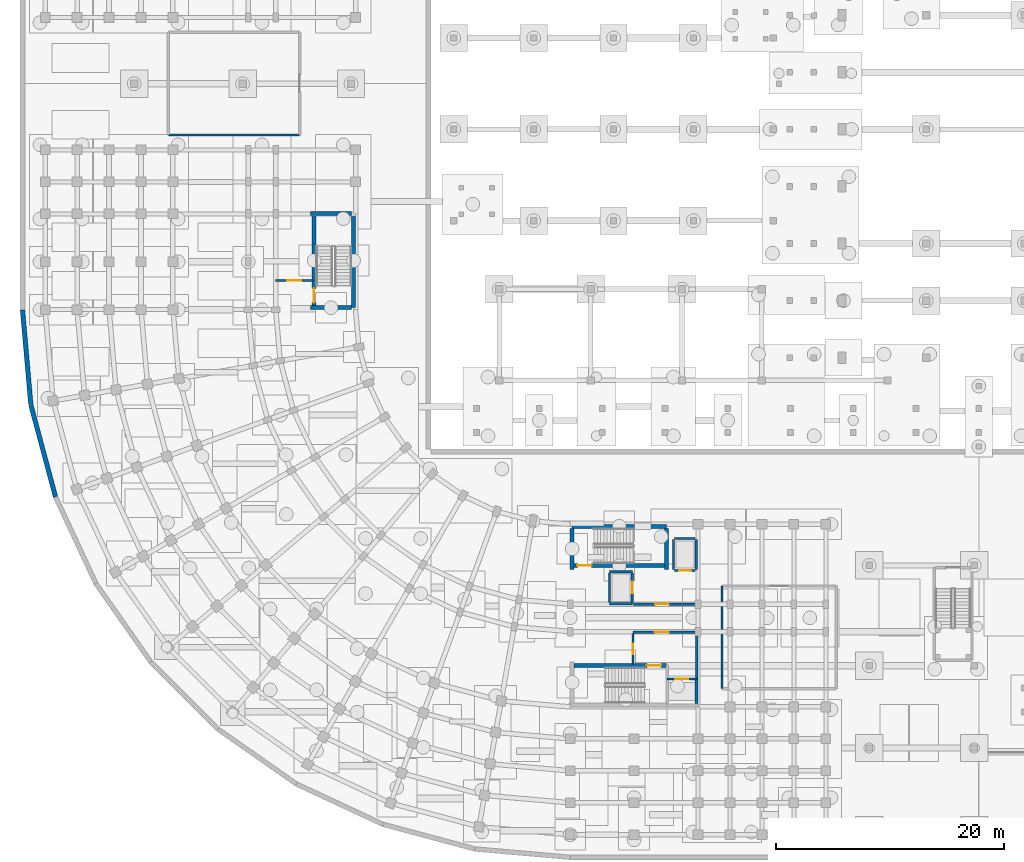
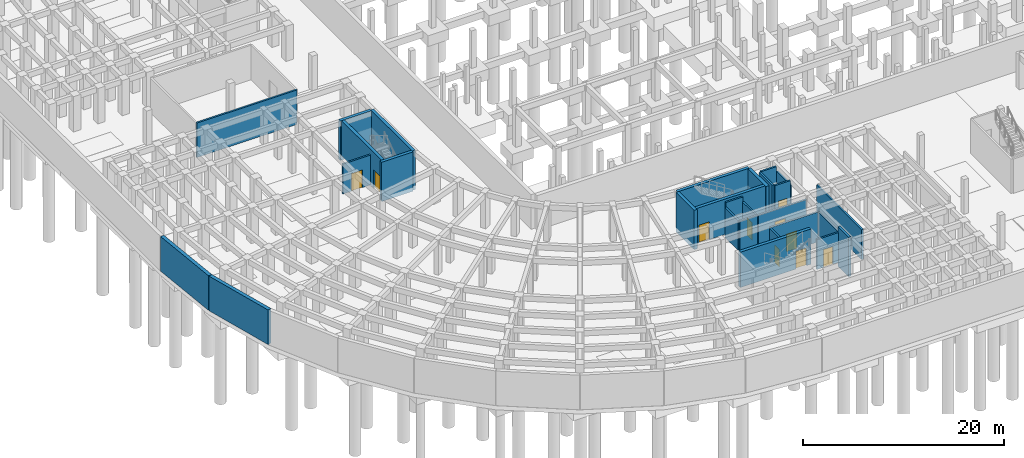
# One storey, part 30 of 53: 28 walls, 10 doors, 10 openings.
"""IFC4 building model written with IfcOpenShell, lengths in metres."""

from ifc_helpers import new_model, si_unit, direction, frame, frame_2d, origin, place, context, subcontext, project, spatial, rectangle, extrude, material, layer, layer_set, type_object, element, fill, save


model = new_model("IFC4")

# Units and contexts
model_context = context("Model", 3, precision=1e-05, world=origin(), true_north=direction((0.0, 1.0)))
body_context = subcontext(model_context, "Body", "Model", "MODEL_VIEW")
ifc_project = project(units=[si_unit("LENGTHUNIT", "METRE"), si_unit("AREAUNIT", "SQUARE_METRE"), si_unit("VOLUMEUNIT", "CUBIC_METRE"), si_unit("PLANEANGLEUNIT", "RADIAN"), si_unit("MASSUNIT", "GRAM", prefix="KILO")], contexts=[model_context])

# Site, building, storey
site_placement = place(None, origin())
site = spatial("IfcSite", under=ifc_project, at=site_placement, CompositionType="ELEMENT")
building_placement = place(site_placement, origin())
building = spatial("IfcBuilding", under=site, at=building_placement, Name="Kiranvali Square Residences", CompositionType="ELEMENT")
storey_placement = place(building_placement, frame((0.0, 0.0, -4.5)))
storey = spatial("IfcBuildingStorey", under=building, at=storey_placement, Name="B1", CompositionType="ELEMENT", Elevation=-4.5)

# Wall, opening, door
ifc_material_1 = material(Name="Autoclaved aerated concrete blockwork masonry", Category="masonry")
ifc_layer_1 = layer(ifc_material_1, 0.199951171875)
ifc_layer_set_1 = layer_set([ifc_layer_1], Name="Autoclaved aerated concrete blockwork masonry")
wall_type_1 = type_object("IfcWallType", Name="WL-COR-200", PredefinedType="STANDARD", material=ifc_layer_set_1)
wall_1_placement = place(storey_placement, frame((53.75, 22.39990234375, 0.0), z_axis=(0.0, 0.0, 1.0), x_axis=(1.0, 0.0, 0.0)))
wall_1 = element("IfcWall", 1, at=wall_1_placement, inside=storey, type_object=wall_type_1, Name="B1 architectural wall WL-B1-C-LL-COR", PredefinedType="STANDARD", context=body_context, shape_type="SweptSolid", body=[
    extrude(rectangle(XDim=5.550048828125, YDim=0.199951171875, at=frame_2d((2.77490234375, 0.0))), origin(), (0.0, 0.0, 1.0), 3.6220703125),
])
opening_1_placement = place(wall_1_placement, frame((1.887451171875, 0.0, 0.0)))
opening_1 = element("IfcOpeningElement", 2, at=opening_1_placement, cuts=wall_1, Name="Opening FD-COR-60", PredefinedType="OPENING", context=body_context, shape_type="SweptSolid", body=[
    extrude(rectangle(XDim=1.219970703125, YDim=2.14990234375, at=frame_2d((0.60986328125, 1.074951171875))), frame((0.0, 0.10986328125, 0.0), z_axis=(0.0, -1.0, 0.0), x_axis=(1.0, 0.0, 0.0)), (0.0, 0.0, 1.0), 0.219970703125),
])
ifc_material_2 = material(Name="Fire-rated acoustic hardwood and mineral-core door assembly", Category="wood")
door_type_1 = type_object("IfcDoorType", Name="DR-FD60-1200", OperationType="NOTDEFINED", PredefinedType="DOOR", material=ifc_material_2)
door_1_placement = place(opening_1_placement, origin())
door_1 = element("IfcDoor", 3, at=door_1_placement, inside=storey, type_object=door_type_1, Name="B1 door DR-B1-0029 (DR-FD60-1200)", OperationType="SINGLE_SWING_LEFT", OverallHeight=2.14990234375, OverallWidth=1.219970703125, PredefinedType="DOOR", context=body_context, shape_type="SweptSolid", body=[
    extrude(rectangle(XDim=1.219970703125, YDim=2.14990234375, at=frame_2d((0.60986328125, 1.074951171875))), frame((0.0, 0.02490234375, 0.0), z_axis=(0.0, -1.0, 0.0), x_axis=(1.0, 0.0, 0.0)), (0.0, 0.0, 1.0), 0.050048828125),
])
fill(opening_1, door_1)

wall_2_placement = place(storey_placement, frame((25.64990234375, 50.75, 0.0), z_axis=(0.0, 0.0, 1.0), x_axis=(-1.0, 0.0, 0.0)))
wall_2 = element("IfcWall", 4, at=wall_2_placement, inside=storey, type_object=wall_type_1, Name="B1 architectural wall WL-B1-C-S3-V", PredefinedType="STANDARD", context=body_context, shape_type="SweptSolid", body=[
    extrude(rectangle(XDim=3.25, YDim=0.199951171875, at=frame_2d((1.625, 0.0))), origin(), (0.0, 0.0, 1.0), 3.6220703125),
])
opening_2_placement = place(wall_2_placement, frame((1.014892578125, 0.0, 0.0)))
opening_2 = element("IfcOpeningElement", 5, at=opening_2_placement, cuts=wall_2, Name="Opening FD-COR-60", PredefinedType="OPENING", context=body_context, shape_type="SweptSolid", body=[
    extrude(rectangle(XDim=1.219970703125, YDim=2.14990234375, at=frame_2d((0.60986328125, 1.074951171875))), frame((0.0, 0.10986328125, 0.0), z_axis=(0.0, -1.0, 0.0), x_axis=(1.0, 0.0, 0.0)), (0.0, 0.0, 1.0), 0.219970703125),
])
door_2_placement = place(opening_2_placement, frame((1.219970703125, 0.0, 0.0), z_axis=(0.0, 0.0, 1.0), x_axis=(-1.0, 0.0, 0.0)))
door_2 = element("IfcDoor", 6, at=door_2_placement, inside=storey, type_object=door_type_1, Name="B1 door DR-B1-0030 (DR-FD60-1200)", OperationType="SINGLE_SWING_RIGHT", OverallHeight=2.14990234375, OverallWidth=1.219970703125, PredefinedType="DOOR", context=body_context, shape_type="SweptSolid", body=[
    extrude(rectangle(XDim=1.219970703125, YDim=2.14990234375, at=frame_2d((0.60986328125, 1.074951171875))), frame((0.0, 0.02490234375, 0.0), z_axis=(0.0, -1.0, 0.0), x_axis=(1.0, 0.0, 0.0)), (0.0, 0.0, 1.0), 0.050048828125),
])
fill(opening_2, door_2)

ifc_layer_2 = layer(ifc_material_1, 0.199951171875)
ifc_layer_set_2 = layer_set([ifc_layer_2], Name="Autoclaved aerated concrete blockwork masonry")
wall_type_2 = type_object("IfcWallType", Name="WL-FFL-200", PredefinedType="STANDARD", material=ifc_layer_set_2)
wall_3_placement = place(storey_placement, frame((53.699951171875, 19.949951171875, 0.0), z_axis=(0.0, 0.0, 1.0), x_axis=(1.0, 0.0, 0.0)))
wall_3 = element("IfcWall", 7, at=wall_3_placement, inside=storey, type_object=wall_type_2, Name="B1 architectural wall WL-B1-C-FF-COR", PredefinedType="STANDARD", context=body_context, shape_type="SweptSolid", body=[
    extrude(rectangle(XDim=5.60009765625, YDim=0.199951171875, at=frame_2d((2.800048828125, 0.0))), origin(), (0.0, 0.0, 1.0), 3.6220703125),
])
opening_3_placement = place(wall_3_placement, frame((1.89990234375, 0.0, 0.0)))
opening_3 = element("IfcOpeningElement", 8, at=opening_3_placement, cuts=wall_3, Name="Opening FD-ST-120", PredefinedType="OPENING", context=body_context, shape_type="SweptSolid", body=[
    extrude(rectangle(XDim=1.239990234375, YDim=2.14990234375, at=frame_2d((0.6201171875, 1.074951171875))), frame((0.0, 0.10986328125, 0.0), z_axis=(0.0, -1.0, 0.0), x_axis=(1.0, 0.0, 0.0)), (0.0, 0.0, 1.0), 0.219970703125),
])
door_type_2 = type_object("IfcDoorType", Name="DR-FD120-1200", OperationType="NOTDEFINED", PredefinedType="DOOR", material=ifc_material_2)
door_3_placement = place(opening_3_placement, origin())
door_3 = element("IfcDoor", 9, at=door_3_placement, inside=storey, type_object=door_type_2, Name="B1 door DR-B1-0021 (DR-FD120-1200)", OperationType="SINGLE_SWING_LEFT", OverallHeight=2.14990234375, OverallWidth=1.239990234375, PredefinedType="DOOR", context=body_context, shape_type="SweptSolid", body=[
    extrude(rectangle(XDim=1.239990234375, YDim=2.14990234375, at=frame_2d((0.6201171875, 1.074951171875))), frame((0.0, 0.02490234375, 0.0), z_axis=(0.0, -1.0, 0.0), x_axis=(1.0, 0.0, 0.0)), (0.0, 0.0, 1.0), 0.050048828125),
])
fill(opening_3, door_3)

wall_4_placement = place(storey_placement, frame((53.699951171875, 19.85009765625, 0.0), z_axis=(0.0, 0.0, 1.0), x_axis=(0.0, -1.0, 0.0)))
wall_4 = element("IfcWall", 10, at=wall_4_placement, inside=storey, type_object=wall_type_2, Name="B1 architectural wall WL-B1-C-FF-DIV", PredefinedType="STANDARD", context=body_context, shape_type="SweptSolid", body=[
    extrude(rectangle(XDim=2.75, YDim=0.199951171875, at=frame_2d((1.375, 0.0))), origin(), (0.0, 0.0, 1.0), 3.6220703125),
])
opening_4_placement = place(wall_4_placement, frame((0.9150390625, 0.0, 0.0)))
opening_4 = element("IfcOpeningElement", 11, at=opening_4_placement, cuts=wall_4, Name="Opening FD-SVC-120", PredefinedType="OPENING", context=body_context, shape_type="SweptSolid", body=[
    extrude(rectangle(XDim=0.919921875, YDim=2.10009765625, at=frame_2d((0.4599609375, 1.050048828125))), frame((0.0, 0.10986328125, 0.0), z_axis=(0.0, -1.0, 0.0), x_axis=(1.0, 0.0, 0.0)), (0.0, 0.0, 1.0), 0.219970703125),
])
door_type_3 = type_object("IfcDoorType", Name="DR-SVC-900", OperationType="NOTDEFINED", PredefinedType="DOOR", material=ifc_material_2)
door_4_placement = place(opening_4_placement, frame((0.919921875, 0.0, 0.0), z_axis=(0.0, 0.0, 1.0), x_axis=(-1.0, 0.0, 0.0)))
door_4 = element("IfcDoor", 12, at=door_4_placement, inside=storey, type_object=door_type_3, Name="B1 door DR-B1-0022 (DR-SVC-900)", OperationType="SINGLE_SWING_RIGHT", OverallHeight=2.10009765625, OverallWidth=0.919921875, PredefinedType="DOOR", context=body_context, shape_type="SweptSolid", body=[
    extrude(rectangle(XDim=0.919921875, YDim=2.10009765625, at=frame_2d((0.4599609375, 1.050048828125))), frame((0.0, 0.02490234375, 0.0), z_axis=(0.0, -1.0, 0.0), x_axis=(1.0, 0.0, 0.0)), (0.0, 0.0, 1.0), 0.050048828125),
])
fill(opening_4, door_4)

# Wall
wall_5_placement = place(storey_placement, frame((59.300048828125, 19.85009765625, 0.0), z_axis=(0.0, 0.0, 1.0), x_axis=(0.0, -1.0, 0.0)))
element("IfcWall", 13, at=wall_5_placement, inside=storey, type_object=wall_type_2, Name="B1 architectural wall WL-B1-C-FF-END", PredefinedType="STANDARD", context=body_context, shape_type="SweptSolid", body=[
    extrude(rectangle(XDim=4.0, YDim=0.199951171875, at=frame_2d((2.0, 0.0))), origin(), (0.0, 0.0, 1.0), 3.6220703125),
])

# Wall, opening, door
wall_6_placement = place(storey_placement, frame((56.699951171875, 15.85009765625, 0.0), z_axis=(0.0, 0.0, 1.0), x_axis=(1.0, 0.0, 0.0)))
wall_6 = element("IfcWall", 14, at=wall_6_placement, inside=storey, type_object=wall_type_2, Name="B1 architectural wall WL-B1-C-FF-LFT", PredefinedType="STANDARD", context=body_context, shape_type="SweptSolid", body=[
    extrude(rectangle(XDim=2.550048828125, YDim=0.199951171875, at=frame_2d((1.27490234375, 0.0))), origin(), (0.0, 0.0, 1.0), 3.6220703125),
])
opening_5_placement = place(wall_6_placement, frame((0.72509765625, 0.0, 0.0)))
opening_5 = element("IfcOpeningElement", 15, at=opening_5_placement, cuts=wall_6, Name="Opening LD-FF-110", PredefinedType="OPENING", context=body_context, shape_type="SweptSolid", body=[
    extrude(rectangle(XDim=1.10009765625, YDim=2.14990234375, at=frame_2d((0.550048828125, 1.074951171875))), frame((0.0, 0.10986328125, 0.0), z_axis=(0.0, -1.0, 0.0), x_axis=(1.0, 0.0, 0.0)), (0.0, 0.0, 1.0), 0.219970703125),
])
door_type_4 = type_object("IfcDoorType", Name="DR-LIFT-FF-1100", OperationType="SLIDING_TO_LEFT", PredefinedType="DOOR", material=ifc_material_2)
door_5_placement = place(opening_5_placement, origin())
door_5 = element("IfcDoor", 16, at=door_5_placement, inside=storey, type_object=door_type_4, Name="B1 door DR-B1-0023 (DR-LIFT-FF-1100)", OperationType="SLIDING_TO_LEFT", OverallHeight=2.14990234375, OverallWidth=1.10009765625, PredefinedType="DOOR", context=body_context, shape_type="SweptSolid", body=[
    extrude(rectangle(XDim=1.10009765625, YDim=2.14990234375, at=frame_2d((0.550048828125, 1.074951171875))), frame((0.0, 0.02490234375, 0.0), z_axis=(0.0, -1.0, 0.0), x_axis=(1.0, 0.0, 0.0)), (0.0, 0.0, 1.0), 0.050048828125),
])
fill(opening_5, door_5)

# Walls
ifc_material_3 = material(Name="Concrete M40 (40 MPa)", Category="concrete")
ifc_layer_3 = layer(ifc_material_3, 0.39990234375)
ifc_layer_set_3 = layer_set([ifc_layer_3], Name="Concrete M40 (40 MPa)")
wall_type_3 = type_object("IfcWallType", Name="WL-RET-400", PredefinedType="USERDEFINED", material=ifc_layer_set_3)
wall_7_placement = place(storey_placement, frame((0.222412109375, 48.172119140625, 0.0), z_axis=(0.0, 0.0, 1.0), x_axis=(0.087164762929, -0.996193908887, 0.0)))
element("IfcWall", 17, at=wall_7_placement, inside=storey, type_object=wall_type_3, Name="Shaped street-perimeter basement retaining wall 1", ObjectType="RETAINING WALL", PredefinedType="USERDEFINED", context=body_context, shape_type="SweptSolid", body=[
    extrude(rectangle(XDim=8.3076171875, YDim=0.39990234375, at=frame_2d((4.15380859375, 0.0))), origin(), (0.0, 0.0, 1.0), 4.199951171875),
])
wall_8_placement = place(storey_placement, frame((0.9560546875, 39.84130859375, 0.0), z_axis=(0.0, 0.0, 1.0), x_axis=(0.258820304836, -0.965925488744, 0.0)))
element("IfcWall", 18, at=wall_8_placement, inside=storey, type_object=wall_type_3, Name="Shaped street-perimeter basement retaining wall 2", ObjectType="RETAINING WALL", PredefinedType="USERDEFINED", context=body_context, shape_type="SweptSolid", body=[
    extrude(rectangle(XDim=8.307373046875, YDim=0.39990234375, at=frame_2d((4.15380859375, 0.0))), origin(), (0.0, 0.0, 1.0), 4.199951171875),
])
ifc_layer_4 = layer(ifc_material_1, 0.199951171875)
ifc_layer_set_4 = layer_set([ifc_layer_4], Name="Autoclaved aerated concrete blockwork masonry")
wall_type_4 = type_object("IfcWallType", Name="WL-SHF-200", PredefinedType="STANDARD", material=ifc_layer_set_4)
wall_9_placement = place(storey_placement, frame((57.25, 28.050048828125, 0.0), z_axis=(0.0, 0.0, 1.0), x_axis=(0.0, -1.0, 0.0)))
element("IfcWall", 19, at=wall_9_placement, inside=storey, type_object=wall_type_4, Name="B1 architectural wall WL-B1-C-LP1-S1", PredefinedType="STANDARD", context=body_context, shape_type="SweptSolid", body=[
    extrude(rectangle(XDim=2.60009765625, YDim=0.199951171875, at=frame_2d((1.300048828125, 0.0))), origin(), (0.0, 0.0, 1.0), 4.179931640625),
])
wall_10_placement = place(storey_placement, frame((59.25, 28.050048828125, 0.0), z_axis=(0.0, 0.0, 1.0), x_axis=(0.0, -1.0, 0.0)))
element("IfcWall", 20, at=wall_10_placement, inside=storey, type_object=wall_type_4, Name="B1 architectural wall WL-B1-C-LP1-B", PredefinedType="STANDARD", context=body_context, shape_type="SweptSolid", body=[
    extrude(rectangle(XDim=2.60009765625, YDim=0.199951171875, at=frame_2d((1.300048828125, 0.0))), origin(), (0.0, 0.0, 1.0), 3.6220703125),
])
wall_11_placement = place(storey_placement, frame((57.35009765625, 28.14990234375, 0.0), z_axis=(0.0, 0.0, 1.0), x_axis=(1.0, 0.0, 0.0)))
element("IfcWall", 21, at=wall_11_placement, inside=storey, type_object=wall_type_4, Name="B1 architectural wall WL-B1-C-LP1-S2", PredefinedType="STANDARD", context=body_context, shape_type="SweptSolid", body=[
    extrude(rectangle(XDim=1.7998046875, YDim=0.199951171875, at=frame_2d((0.89990234375, 0.0))), origin(), (0.0, 0.0, 1.0), 4.179931640625),
])

# Wall, opening, door
wall_12_placement = place(storey_placement, frame((57.35009765625, 25.35009765625, 0.0), z_axis=(0.0, 0.0, 1.0), x_axis=(1.0, 0.0, 0.0)))
wall_12 = element("IfcWall", 22, at=wall_12_placement, inside=storey, type_object=wall_type_4, Name="B1 architectural wall WL-B1-C-LP1-F", PredefinedType="STANDARD", context=body_context, shape_type="SweptSolid", body=[
    extrude(rectangle(XDim=1.7998046875, YDim=0.199951171875, at=frame_2d((0.89990234375, 0.0))), origin(), (0.0, 0.0, 1.0), 4.179931640625),
])
opening_6_placement = place(wall_12_placement, frame((0.389892578125, 0.0, 0.0)))
opening_6 = element("IfcOpeningElement", 23, at=opening_6_placement, cuts=wall_12, Name="Opening LD-PAX-100", PredefinedType="OPENING", context=body_context, shape_type="SweptSolid", body=[
    extrude(rectangle(XDim=1.02001953125, YDim=2.14990234375, at=frame_2d((0.510009765625, 1.074951171875))), frame((0.0, 0.10986328125, 0.0), z_axis=(0.0, -1.0, 0.0), x_axis=(1.0, 0.0, 0.0)), (0.0, 0.0, 1.0), 0.219970703125),
])
door_type_5 = type_object("IfcDoorType", Name="DR-LIFT-1000", OperationType="SLIDING_TO_RIGHT", PredefinedType="DOOR", material=ifc_material_2)
door_6_placement = place(opening_6_placement, origin())
door_6 = element("IfcDoor", 24, at=door_6_placement, inside=storey, type_object=door_type_5, Name="B1 door DR-B1-0027 (DR-LIFT-1000)", OperationType="SLIDING_TO_RIGHT", OverallHeight=2.14990234375, OverallWidth=1.02001953125, PredefinedType="DOOR", context=body_context, shape_type="SweptSolid", body=[
    extrude(rectangle(XDim=1.02001953125, YDim=2.14990234375, at=frame_2d((0.510009765625, 1.074951171875))), frame((0.0, 0.02490234375, 0.0), z_axis=(0.0, -1.0, 0.0), x_axis=(1.0, 0.0, 0.0)), (0.0, 0.0, 1.0), 0.050048828125),
])
fill(opening_6, door_6)

# Walls
wall_13_placement = place(storey_placement, frame((51.64990234375, 25.25, 0.0), z_axis=(0.0, 0.0, 1.0), x_axis=(1.0, 0.0, 0.0)))
element("IfcWall", 25, at=wall_13_placement, inside=storey, type_object=wall_type_4, Name="B1 architectural wall WL-B1-C-LP2-S0", PredefinedType="STANDARD", context=body_context, shape_type="SweptSolid", body=[
    extrude(rectangle(XDim=2.0, YDim=0.199951171875, at=frame_2d((1.0, 0.0))), origin(), (0.0, 0.0, 1.0), 4.179931640625),
])
wall_14_placement = place(storey_placement, frame((51.64990234375, 22.449951171875, 0.0), z_axis=(0.0, 0.0, 1.0), x_axis=(1.0, 0.0, 0.0)))
element("IfcWall", 26, at=wall_14_placement, inside=storey, type_object=wall_type_4, Name="B1 architectural wall WL-B1-C-LP2-B", PredefinedType="STANDARD", context=body_context, shape_type="SweptSolid", body=[
    extrude(rectangle(XDim=2.0, YDim=0.199951171875, at=frame_2d((1.0, 0.0))), origin(), (0.0, 0.0, 1.0), 3.6220703125),
])
wall_15_placement = place(storey_placement, frame((51.64990234375, 25.14990234375, 0.0), z_axis=(0.0, 0.0, 1.0), x_axis=(0.0, -1.0, 0.0)))
element("IfcWall", 27, at=wall_15_placement, inside=storey, type_object=wall_type_4, Name="B1 architectural wall WL-B1-C-LP2-S1", PredefinedType="STANDARD", context=body_context, shape_type="SweptSolid", body=[
    extrude(rectangle(XDim=2.599853515625, YDim=0.199951171875, at=frame_2d((1.2998046875, 0.0))), origin(), (0.0, 0.0, 1.0), 3.6220703125),
])

# Wall, opening, door
wall_16_placement = place(storey_placement, frame((53.64990234375, 25.14990234375, 0.0), z_axis=(0.0, 0.0, 1.0), x_axis=(0.0, -1.0, 0.0)))
wall_16 = element("IfcWall", 28, at=wall_16_placement, inside=storey, type_object=wall_type_4, Name="B1 architectural wall WL-B1-C-LP2-F", PredefinedType="STANDARD", context=body_context, shape_type="SweptSolid", body=[
    extrude(rectangle(XDim=2.599853515625, YDim=0.199951171875, at=frame_2d((1.2998046875, 0.0))), origin(), (0.0, 0.0, 1.0), 3.6220703125),
])
opening_7_placement = place(wall_16_placement, frame((0.7900390625, 0.0, 0.0)))
opening_7 = element("IfcOpeningElement", 29, at=opening_7_placement, cuts=wall_16, Name="Opening LD-PAX-100", PredefinedType="OPENING", context=body_context, shape_type="SweptSolid", body=[
    extrude(rectangle(XDim=1.02001953125, YDim=2.14990234375, at=frame_2d((0.510009765625, 1.074951171875))), frame((0.0, 0.10986328125, 0.0), z_axis=(0.0, -1.0, 0.0), x_axis=(1.0, 0.0, 0.0)), (0.0, 0.0, 1.0), 0.219970703125),
])
door_7_placement = place(opening_7_placement, origin())
door_7 = element("IfcDoor", 30, at=door_7_placement, inside=storey, type_object=door_type_5, Name="B1 door DR-B1-0028 (DR-LIFT-1000)", OperationType="SLIDING_TO_RIGHT", OverallHeight=2.14990234375, OverallWidth=1.02001953125, PredefinedType="DOOR", context=body_context, shape_type="SweptSolid", body=[
    extrude(rectangle(XDim=1.02001953125, YDim=2.14990234375, at=frame_2d((0.510009765625, 1.074951171875))), frame((0.0, 0.02490234375, 0.0), z_axis=(0.0, -1.0, 0.0), x_axis=(1.0, 0.0, 0.0)), (0.0, 0.0, 1.0), 0.050048828125),
])
fill(opening_7, door_7)

# Walls
wall_17_placement = place(storey_placement, frame((61.5, 24.0, 0.0), z_axis=(0.0, 0.0, 1.0), x_axis=(0.0, -1.0, 0.0)))
element("IfcWall", 31, at=wall_17_placement, inside=storey, type_object=wall_type_4, Name="B1 architectural wall WL-B1-WTP-W", PredefinedType="STANDARD", context=body_context, shape_type="SweptSolid", body=[
    extrude(rectangle(XDim=9.0, YDim=0.199951171875, at=frame_2d((4.5, 0.0))), origin(), (0.0, 0.0, 1.0), 3.6220703125),
])
wall_18_placement = place(storey_placement, frame((13.0, 63.5, 0.0), z_axis=(0.0, 0.0, 1.0), x_axis=(1.0, 0.0, 0.0)))
element("IfcWall", 32, at=wall_18_placement, inside=storey, type_object=wall_type_4, Name="B1 architectural wall WL-B1-CYC-N-S", PredefinedType="STANDARD", context=body_context, shape_type="SweptSolid", body=[
    extrude(rectangle(XDim=11.5, YDim=0.199951171875, at=frame_2d((5.75, 0.0))), origin(), (0.0, 0.0, 1.0), 4.179931640625),
])
ifc_material_4 = material(Name="Concrete M45 (45 MPa)", Category="concrete")
ifc_layer_5 = layer(ifc_material_4, 0.25)
ifc_layer_set_5 = layer_set([ifc_layer_5], Name="Concrete M45 (45 MPa)")
wall_type_5 = type_object("IfcWallType", Name="WL-SHR-250", PredefinedType="SHEAR", material=ifc_layer_set_5)
wall_19_placement = place(storey_placement, frame((59.27490234375, 15.85009765625, -0.5), z_axis=(0.0, 0.0, 1.0), x_axis=(0.0, -1.0, 0.0)))
element("IfcWall", 33, at=wall_19_placement, inside=storey, type_object=wall_type_5, Name="Block C core shear wall SW-CFF-SD-B1", PredefinedType="SHEAR", context=body_context, shape_type="SweptSolid", body=[
    extrude(rectangle(XDim=2.150146484375, YDim=0.25, at=frame_2d((1.0751953125, 0.0))), origin(), (0.0, 0.0, 1.0), 4.780029296875),
])

# Wall, opening, door
ifc_material_5 = material(Name="Concrete M50 (50 MPa)", Category="concrete")
ifc_layer_6 = layer(ifc_material_5, 0.35009765625)
ifc_layer_set_6 = layer_set([ifc_layer_6], Name="Concrete M50 (50 MPa)")
wall_type_6 = type_object("IfcWallType", Name="WL-SHR-350", PredefinedType="SHEAR", material=ifc_layer_set_6)
wall_20_placement = place(storey_placement, frame((48.550048828125, 17.02490234375, 0.0), z_axis=(0.0, 0.0, 1.0), x_axis=(1.0, 0.0, 0.0)))
wall_20 = element("IfcWall", 34, at=wall_20_placement, inside=storey, type_object=wall_type_6, Name="Block C core shear wall SW-C1-IN-B1", PredefinedType="SHEAR", context=body_context, shape_type="SweptSolid", body=[
    extrude(rectangle(XDim=8.074951171875, YDim=0.35009765625, at=frame_2d((4.03759765625, 0.0))), origin(), (0.0, 0.0, 1.0), 4.280029296875),
])
opening_8_placement = place(wall_20_placement, frame((6.3798828125, 0.0, 0.0)))
opening_8 = element("IfcOpeningElement", 35, at=opening_8_placement, cuts=wall_20, Name="Opening FD-ST-120", PredefinedType="OPENING", context=body_context, shape_type="SweptSolid", body=[
    extrude(rectangle(XDim=1.239990234375, YDim=2.14990234375, at=frame_2d((0.6201171875, 1.074951171875))), frame((0.0, 0.18505859375, 0.0), z_axis=(0.0, -1.0, 0.0), x_axis=(1.0, 0.0, 0.0)), (0.0, 0.0, 1.0), 0.3701171875),
])
door_8_placement = place(opening_8_placement, frame((1.239990234375, 0.0, 0.0), z_axis=(0.0, 0.0, 1.0), x_axis=(-1.0, 0.0, 0.0)))
door_8 = element("IfcDoor", 36, at=door_8_placement, inside=storey, type_object=door_type_2, Name="B1 door DR-B1-0024 (DR-FD120-1200)", OperationType="SINGLE_SWING_RIGHT", OverallHeight=2.14990234375, OverallWidth=1.239990234375, PredefinedType="DOOR", context=body_context, shape_type="SweptSolid", body=[
    extrude(rectangle(XDim=1.239990234375, YDim=2.14990234375, at=frame_2d((0.6201171875, 1.074951171875))), frame((0.0, 0.02490234375, 0.0), z_axis=(0.0, -1.0, 0.0), x_axis=(1.0, 0.0, 0.0)), (0.0, 0.0, 1.0), 0.050048828125),
])
fill(opening_8, door_8)

# Wall
wall_21_placement = place(storey_placement, frame((48.375, 29.22509765625, -0.5), z_axis=(0.0, 0.0, 1.0), x_axis=(1.0, 0.0, 0.0)))
element("IfcWall", 37, at=wall_21_placement, inside=storey, type_object=wall_type_6, Name="Block C core shear wall SW-C2-OUT-B1", PredefinedType="SHEAR", context=body_context, shape_type="SweptSolid", body=[
    extrude(rectangle(XDim=8.25, YDim=0.35009765625, at=frame_2d((4.125, 0.0))), origin(), (0.0, 0.0, 1.0), 4.780029296875),
])

# Wall, opening, door
wall_22_placement = place(storey_placement, frame((48.550048828125, 25.77490234375, 0.0), z_axis=(0.0, 0.0, 1.0), x_axis=(1.0, 0.0, 0.0)))
wall_22 = element("IfcWall", 38, at=wall_22_placement, inside=storey, type_object=wall_type_6, Name="Block C core shear wall SW-C2-IN-B1", PredefinedType="SHEAR", context=body_context, shape_type="SweptSolid", body=[
    extrude(rectangle(XDim=7.89990234375, YDim=0.35009765625, at=frame_2d((3.949951171875, 0.0))), origin(), (0.0, 0.0, 1.0), 4.280029296875),
])
opening_9_placement = place(wall_22_placement, frame((0.280029296875, 0.0, 0.0)))
opening_9 = element("IfcOpeningElement", 39, at=opening_9_placement, cuts=wall_22, Name="Opening FD-ST-120", PredefinedType="OPENING", context=body_context, shape_type="SweptSolid", body=[
    extrude(rectangle(XDim=1.239990234375, YDim=2.14990234375, at=frame_2d((0.6201171875, 1.074951171875))), frame((0.0, 0.18505859375, 0.0), z_axis=(0.0, -1.0, 0.0), x_axis=(1.0, 0.0, 0.0)), (0.0, 0.0, 1.0), 0.3701171875),
])
door_9_placement = place(opening_9_placement, origin())
door_9 = element("IfcDoor", 40, at=door_9_placement, inside=storey, type_object=door_type_2, Name="B1 door DR-B1-0025 (DR-FD120-1200)", OperationType="SINGLE_SWING_LEFT", OverallHeight=2.14990234375, OverallWidth=1.239990234375, PredefinedType="DOOR", context=body_context, shape_type="SweptSolid", body=[
    extrude(rectangle(XDim=1.239990234375, YDim=2.14990234375, at=frame_2d((0.6201171875, 1.074951171875))), frame((0.0, 0.02490234375, 0.0), z_axis=(0.0, -1.0, 0.0), x_axis=(1.0, 0.0, 0.0)), (0.0, 0.0, 1.0), 0.050048828125),
])
fill(opening_9, door_9)

# Walls
for number, where, z_axis, x_axis, name in (
    (41, (48.375, 29.050048828125, -0.5), (0.0, 0.0, 1.0), (0.0, -1.0, 0.0), "Block C core shear wall SW-C2-NEAR-B1"),
    (42, (56.625, 29.050048828125, -0.5), (0.0, 0.0, 1.0), (0.0, -1.0, 0.0), "Block C core shear wall SW-C2-FAR-B1"),
):
    element("IfcWall", number, at=place(storey_placement, frame(where, z_axis=z_axis, x_axis=x_axis)), inside=storey, type_object=wall_type_6, Name=name, PredefinedType="SHEAR", context=body_context, shape_type="SweptSolid", body=[
        extrude(rectangle(XDim=3.60009765625, YDim=0.35009765625, at=frame_2d((1.800048828125, 0.0))), origin(), (0.0, 0.0, 1.0), 4.780029296875),
    ])
wall_23_placement = place(storey_placement, frame((29.22509765625, 48.375, -0.5), z_axis=(0.0, 0.0, 1.0), x_axis=(0.0, 1.0, 0.0)))
element("IfcWall", 43, at=wall_23_placement, inside=storey, type_object=wall_type_6, Name="Block C core shear wall SW-C3-OUT-B1", PredefinedType="SHEAR", context=body_context, shape_type="SweptSolid", body=[
    extrude(rectangle(XDim=8.25, YDim=0.35009765625, at=frame_2d((4.125, 0.0))), origin(), (0.0, 0.0, 1.0), 4.780029296875),
])

# Wall, opening, door
wall_24_placement = place(storey_placement, frame((25.77490234375, 48.550048828125, 0.0), z_axis=(0.0, 0.0, 1.0), x_axis=(0.0, 1.0, 0.0)))
wall_24 = element("IfcWall", 44, at=wall_24_placement, inside=storey, type_object=wall_type_6, Name="Block C core shear wall SW-C3-IN-B1", PredefinedType="SHEAR", context=body_context, shape_type="SweptSolid", body=[
    extrude(rectangle(XDim=7.89990234375, YDim=0.35009765625, at=frame_2d((3.949951171875, 0.0))), origin(), (0.0, 0.0, 1.0), 4.280029296875),
])
opening_10_placement = place(wall_24_placement, frame((0.280029296875, 0.0, 0.0)))
opening_10 = element("IfcOpeningElement", 45, at=opening_10_placement, cuts=wall_24, Name="Opening FD-ST-120", PredefinedType="OPENING", context=body_context, shape_type="SweptSolid", body=[
    extrude(rectangle(XDim=1.239990234375, YDim=2.14990234375, at=frame_2d((0.6201171875, 1.074951171875))), frame((0.0, 0.18505859375, 0.0), z_axis=(0.0, -1.0, 0.0), x_axis=(1.0, 0.0, 0.0)), (0.0, 0.0, 1.0), 0.3701171875),
])
door_10_placement = place(opening_10_placement, frame((1.239990234375, 0.0, 0.0), z_axis=(0.0, 0.0, 1.0), x_axis=(-1.0, 0.0, 0.0)))
door_10 = element("IfcDoor", 46, at=door_10_placement, inside=storey, type_object=door_type_2, Name="B1 door DR-B1-0026 (DR-FD120-1200)", OperationType="SINGLE_SWING_RIGHT", OverallHeight=2.14990234375, OverallWidth=1.239990234375, PredefinedType="DOOR", context=body_context, shape_type="SweptSolid", body=[
    extrude(rectangle(XDim=1.239990234375, YDim=2.14990234375, at=frame_2d((0.6201171875, 1.074951171875))), frame((0.0, 0.02490234375, 0.0), z_axis=(0.0, -1.0, 0.0), x_axis=(1.0, 0.0, 0.0)), (0.0, 0.0, 1.0), 0.050048828125),
])
fill(opening_10, door_10)

# Walls
for number, where, z_axis, x_axis, name in (
    (47, (29.050048828125, 48.375, -0.5), (0.0, 0.0, 1.0), (-1.0, 0.0, 0.0), "Block C core shear wall SW-C3-NEAR-B1"),
    (48, (29.050048828125, 56.625, -0.5), (0.0, 0.0, 1.0), (-1.0, 0.0, 0.0), "Block C core shear wall SW-C3-FAR-B1"),
):
    element("IfcWall", number, at=place(storey_placement, frame(where, z_axis=z_axis, x_axis=x_axis)), inside=storey, type_object=wall_type_6, Name=name, PredefinedType="SHEAR", context=body_context, shape_type="SweptSolid", body=[
        extrude(rectangle(XDim=3.60009765625, YDim=0.35009765625, at=frame_2d((1.800048828125, 0.0))), origin(), (0.0, 0.0, 1.0), 4.780029296875),
    ])

save(model, "model.ifc")
